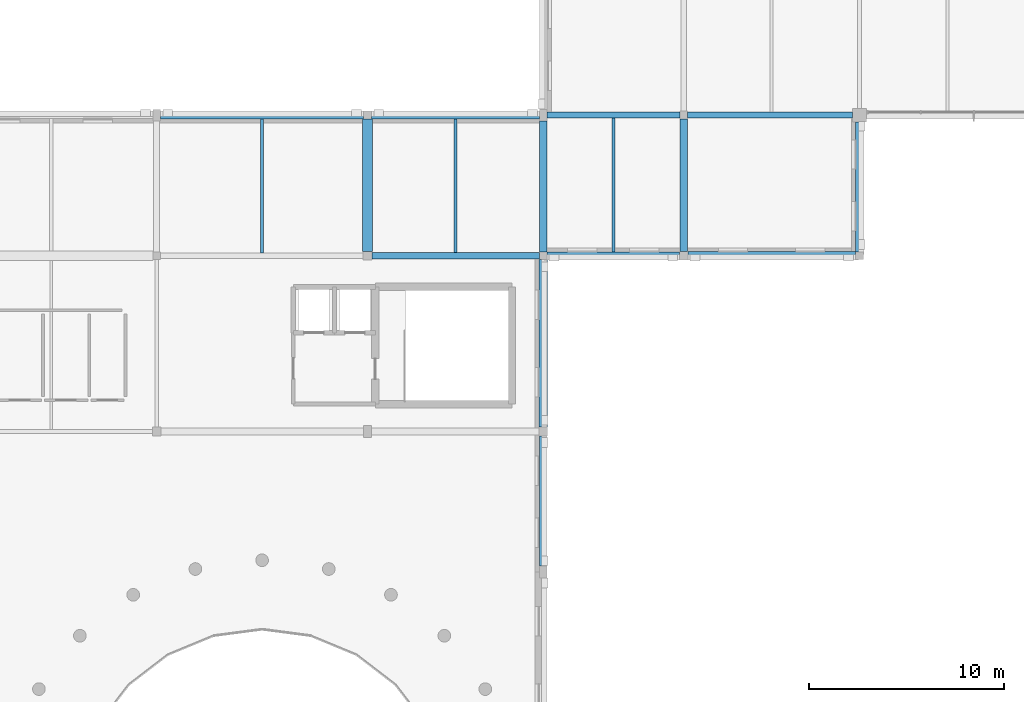
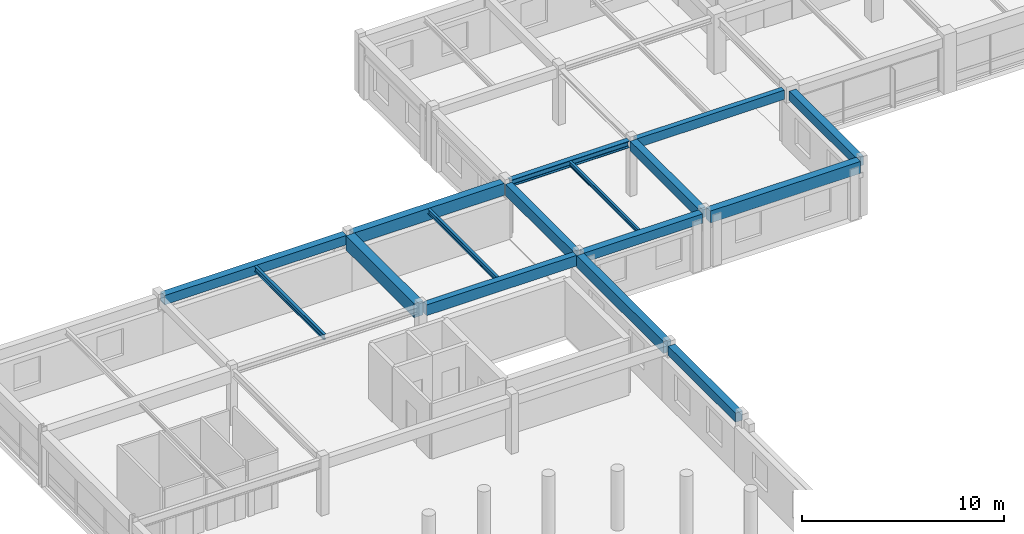
# One storey, part 21 of 52: 16 beams.
"""IFC4 building model written with IfcOpenShell, lengths in metres."""

import ifcopenshell
import ifcopenshell.guid

model = None  # the IFC model being written
_history = None  # IfcOwnerHistory: only IFC2X3 demands one
_inside = {}  # id of a spatial element -> (the spatial element, [elements in it])
_under = {}  # id of a project, library or spatial element -> (it, [spatial elements below it])
_declared = {}  # id of a project -> (the project, [libraries it declares])
_typed = {}  # id of a type object -> (the type object, [elements of that type])
_made_of = {}  # id of a material, layer set ... -> (it, [elements and type objects made of it])


def new_model(schema):
    """Start an empty IFC model of exactly this schema.

    Asked for "IFC4X3", IfcOpenShell would pick the latest addendum, in which some entities
    have other attributes; the version numbers below select the first issue.
    IFC2X3 requires an IfcOwnerHistory on every rooted entity: one is made here for all.
    """
    global model, _history
    if schema == "IFC4X3":
        model = ifcopenshell.file(schema_version=(4, 3, 0, 0))
    else:
        model = ifcopenshell.file(schema=schema)
    _inside.clear()
    _under.clear()
    _declared.clear()
    _typed.clear()
    _made_of.clear()
    _history = None
    if model.schema == "IFC2X3":
        org = make("IfcOrganization", Name="unknown")
        user = make(
            "IfcPersonAndOrganization",
            ThePerson=make("IfcPerson", FamilyName="unknown"),
            TheOrganization=org,
        )
        app = make(
            "IfcApplication",
            ApplicationDeveloper=org,
            Version="unknown",
            ApplicationFullName="unknown",
            ApplicationIdentifier="unknown",
        )
        _history = make(
            "IfcOwnerHistory",
            OwningUser=user,
            OwningApplication=app,
            ChangeAction="ADDED",
            CreationDate=0,
        )
    return model


def make(cls, **values):
    """One entity of the class cls with the attributes given. An attribute that is None is left unset."""
    return model.create_entity(
        cls, **{name: value for name, value in values.items() if value is not None}
    )


def rooted(cls, **values):
    """An entity with a GlobalId (a new one), such as an element, a storey or a relation."""
    return make(cls, GlobalId=ifcopenshell.guid.new(), OwnerHistory=_history, **values)


def si_unit(unit_type, name, prefix=None):
    """IfcSIUnit, for example si_unit("LENGTHUNIT", "METRE", prefix="MILLI")."""
    return make("IfcSIUnit", UnitType=unit_type, Prefix=prefix, Name=name)


def assignment(units):
    """IfcUnitAssignment: the units of a project."""
    return None if units is None else make("IfcUnitAssignment", Units=units)


def point(xyz):
    """IfcCartesianPoint."""
    return None if xyz is None else make("IfcCartesianPoint", Coordinates=xyz)


def direction(xyz):
    """IfcDirection."""
    return None if xyz is None else make("IfcDirection", DirectionRatios=xyz)


def frame(location, z_axis=None, x_axis=None):
    """IfcAxis2Placement3D, a coordinate frame: its origin and axes. An axis left out is left unset."""
    return make(
        "IfcAxis2Placement3D",
        Location=point(location),
        Axis=direction(z_axis),
        RefDirection=direction(x_axis),
    )


def frame_2d(location, x_axis=None):
    """IfcAxis2Placement2D, a coordinate frame in the plane: its origin and x axis."""
    return make(
        "IfcAxis2Placement2D", Location=point(location), RefDirection=direction(x_axis)
    )


def origin():
    """The frame at (0, 0, 0) with its axes left unset."""
    return frame((0.0, 0.0, 0.0))


def origin_2d():
    """The frame at (0, 0) in the plane with its x axis left unset."""
    return frame_2d((0.0, 0.0))


def place(relative_to, where):
    """IfcLocalPlacement: puts the frame where relative to a parent placement (None: the world)."""
    return make(
        "IfcLocalPlacement", PlacementRelTo=relative_to, RelativePlacement=where
    )


def context(
    kind, dimensions, precision=None, world=None, true_north=None, identifier=None
):
    """IfcGeometricRepresentationContext, for example the 3D "Model" context."""
    return make(
        "IfcGeometricRepresentationContext",
        ContextIdentifier=identifier,
        ContextType=kind,
        CoordinateSpaceDimension=dimensions,
        Precision=precision,
        WorldCoordinateSystem=world,
        TrueNorth=true_north,
    )


def subcontext(parent, identifier, kind, view, scale=None):
    """IfcGeometricRepresentationSubContext, for example "Body" below "Model"."""
    return make(
        "IfcGeometricRepresentationSubContext",
        ContextIdentifier=identifier,
        ContextType=kind,
        ParentContext=parent,
        TargetScale=scale,
        TargetView=view,
    )


def project(units=None, contexts=None):
    """IfcProject with its units and contexts."""
    return rooted(
        "IfcProject",
        Name="project",
        RepresentationContexts=contexts,
        UnitsInContext=assignment(units),
    )


def spatial(cls, under=None, at=None, **own):
    """A site, building, storey or space (cls), placed at a placement, below another one or the project."""
    s = rooted(cls, ObjectPlacement=at, **own)
    if under is not None:
        _under.setdefault(under.id(), (under, []))[1].append(s)
    return s


def profile(cls, at=None, kind="AREA", **sizes):
    """A parametric profile (cls). Its sizes go by their IFC names, for example OverallWidth=200.0."""
    return make(cls, ProfileType=kind, Position=at, **sizes)


def rectangle(**sizes):
    """IfcRectangleProfileDef."""
    return profile("IfcRectangleProfileDef", **sizes)


def i_section(**sizes):
    """IfcIShapeProfileDef."""
    return profile("IfcIShapeProfileDef", **sizes)


def extrude(swept, where, along, depth):
    """IfcExtrudedAreaSolid: the profile swept, set in the frame where, extruded along a direction by depth."""
    return make(
        "IfcExtrudedAreaSolid",
        SweptArea=swept,
        Position=where,
        ExtrudedDirection=direction(along),
        Depth=depth,
    )


def shape(context_of_items, identifier, shape_type, items):
    """IfcShapeRepresentation: the items that make up one representation, for example the "Body"."""
    return make(
        "IfcShapeRepresentation",
        ContextOfItems=context_of_items,
        RepresentationIdentifier=identifier,
        RepresentationType=shape_type,
        Items=items,
    )


def material(Name=None, Category=None):
    """IfcMaterial."""
    return make("IfcMaterial", Name=Name, Category=Category)


def material_profile(
    of_material, cross_section, Name=None, Category=None, Priority=None
):
    """IfcMaterialProfile: a cross section and its material."""
    return make(
        "IfcMaterialProfile",
        Name=Name,
        Material=of_material,
        Profile=cross_section,
        Priority=Priority,
        Category=Category,
    )


def profile_set(profiles, Name=None, composite=None):
    """IfcMaterialProfileSet."""
    return make(
        "IfcMaterialProfileSet",
        Name=Name,
        MaterialProfiles=profiles,
        CompositeProfile=composite,
    )


def made_of(thing, what):
    """Note that an element or type object is made of a material, layer set ...; save() writes the relation."""
    if what is not None:
        _made_of.setdefault(what.id(), (what, []))[1].append(thing)
    return thing


def type_object(cls, material=None, **own):
    """A type object (cls), such as IfcWallType, which elements share."""
    return made_of(rooted(cls, **own), material)


def element(
    cls,
    number,
    at=None,
    inside=None,
    cuts=None,
    type_object=None,
    material=None,
    context=None,
    identifier="Body",
    shape_type=None,
    held_by="IfcProductDefinitionShape",
    body=None,
    shapes=None,
    **own,
):
    """One element of the class cls, such as IfcWall. Its Tag is "e" and its number.

    at: its placement. inside: the storey or other place that contains it. cuts: it is an
    opening in that element (IfcRelVoidsElement). A single representation is given by context,
    identifier, shape_type and body (its items); several are given by shapes. held_by: the class
    of the entity that holds the representations. save() writes the other relations.
    """
    e = rooted(cls, Tag="e%d" % number, ObjectPlacement=at, **own)
    if body is not None:
        shapes = [shape(context, identifier, shape_type, body)]
    if shapes is not None:
        e.Representation = make(held_by, Representations=shapes)
    if inside is not None:
        _inside.setdefault(inside.id(), (inside, []))[1].append(e)
    if cuts is not None:
        rooted(
            "IfcRelVoidsElement", RelatingBuildingElement=cuts, RelatedOpeningElement=e
        )
    if type_object is not None:
        _typed.setdefault(type_object.id(), (type_object, []))[1].append(e)
    return made_of(e, material)


def aggregate(whole, parts):
    """IfcRelAggregates: a whole, such as a stair, and the parts it consists of."""
    return rooted("IfcRelAggregates", RelatingObject=whole, RelatedObjects=parts)


def save(model, path):
    """Write the relations noted so far, then the file.

    IfcRelAggregates (storeys below a building ...), IfcRelContainedInSpatialStructure (elements
    in a storey), IfcRelDefinesByType, IfcRelAssociatesMaterial and IfcRelDeclares: one each for
    every whole, place, type object, material and project.
    """
    for whole, parts in _under.values():
        aggregate(whole, parts)
    for where, things in _inside.values():
        rooted(
            "IfcRelContainedInSpatialStructure",
            RelatedElements=things,
            RelatingStructure=where,
        )
    for kind, things in _typed.values():
        rooted("IfcRelDefinesByType", RelatedObjects=things, RelatingType=kind)
    for what, things in _made_of.values():
        rooted("IfcRelAssociatesMaterial", RelatedObjects=things, RelatingMaterial=what)
    for by, libraries in _declared.values():
        rooted("IfcRelDeclares", RelatingContext=by, RelatedDefinitions=libraries)
    model.write(path)


model = new_model("IFC4")

# Units and contexts
model_context = context("Model", 3, precision=1e-05, world=origin(), true_north=direction((0.0, 1.0)))
body_context = subcontext(model_context, "Body", "Model", "MODEL_VIEW")
ifc_project = project(units=[si_unit("LENGTHUNIT", "METRE"), si_unit("AREAUNIT", "SQUARE_METRE"), si_unit("VOLUMEUNIT", "CUBIC_METRE"), si_unit("PLANEANGLEUNIT", "RADIAN"), si_unit("MASSUNIT", "GRAM", prefix="KILO")], contexts=[model_context])

# Site, building, storey
site_placement = place(None, origin())
site = spatial("IfcSite", under=ifc_project, at=site_placement, CompositionType="ELEMENT")
building_placement = place(site_placement, origin())
building = spatial("IfcBuilding", under=site, at=building_placement, Name="Clarverna Civic Hall", CompositionType="ELEMENT")
storey_placement = place(building_placement, frame((0.0, 0.0, 16.800048828125)))
storey = spatial("IfcBuildingStorey", under=building, at=storey_placement, Name="L04", CompositionType="ELEMENT", Elevation=16.800048828125)

# Beams
ifc_material_1 = material(Name="Concrete C35/45", Category="concrete")
ifc_material_profile_1 = material_profile(ifc_material_1, rectangle(XDim=0.5, YDim=0.85009765625, at=origin_2d()), Name="RC 500x850")
ifc_profile_set_1 = profile_set([ifc_material_profile_1], Name="Concrete C35/45")
beam_type_1 = type_object("IfcBeamType", Name="B-RC1", PredefinedType="BEAM", material=ifc_profile_set_1)
beam_1_placement = place(storey_placement, frame((88.199951171875, 88.02490234375, 2.9150390625), z_axis=(0.0, 1.0, 0.0), x_axis=(-1.0, 0.0, 0.0)))
element("IfcBeam", 1, at=beam_1_placement, inside=storey, type_object=beam_type_1, Name="B-RC1-026", PredefinedType="BEAM", context=body_context, shape_type="SweptSolid", body=[
    extrude(rectangle(XDim=0.5, YDim=0.85009765625, at=origin_2d()), origin(), (0.0, 0.0, 1.0), 6.775146484375),
])
ifc_material_profile_2 = material_profile(ifc_material_1, rectangle(XDim=0.300048828125, YDim=0.550048828125, at=origin_2d()), Name="RC 300x550")
ifc_profile_set_2 = profile_set([ifc_material_profile_2], Name="Concrete C35/45")
beam_type_2 = type_object("IfcBeamType", Name="B-RC11", PredefinedType="BEAM", material=ifc_profile_set_2)
beam_2_placement = place(storey_placement, frame((104.60009765625, 95.0, 3.044921875), z_axis=(1.0, 0.0, 0.0), x_axis=(0.0, 1.0, 0.0)))
element("IfcBeam", 2, at=beam_2_placement, inside=storey, type_object=beam_type_2, Name="B-RC11-033", PredefinedType="BEAM", context=body_context, shape_type="SweptSolid", body=[
    extrude(rectangle(XDim=0.300048828125, YDim=0.550048828125, at=origin_2d()), origin(), (0.0, 0.0, 1.0), 8.449951171875),
])
ifc_material_profile_3 = material_profile(ifc_material_1, rectangle(XDim=0.35009765625, YDim=0.64990234375, at=origin_2d()), Name="RC 350x650")
ifc_profile_set_3 = profile_set([ifc_material_profile_3], Name="Concrete C35/45")
beam_type_3 = type_object("IfcBeamType", Name="B-RC17", PredefinedType="BEAM", material=ifc_profile_set_3)
beam_3_placement = place(storey_placement, frame((88.425048828125, 87.800048828125, 3.014892578125), z_axis=(1.0, 0.0, 0.0), x_axis=(0.0, 1.0, 0.0)))
element("IfcBeam", 3, at=beam_3_placement, inside=storey, type_object=beam_type_3, Name="B-RC17-033", PredefinedType="BEAM", context=body_context, shape_type="SweptSolid", body=[
    extrude(rectangle(XDim=0.35009765625, YDim=0.64990234375, at=origin_2d()), origin(), (0.0, 0.0, 1.0), 8.574951171875),
])
ifc_material_profile_4 = material_profile(ifc_material_1, rectangle(XDim=0.39990234375, YDim=0.60009765625, at=origin_2d()), Name="RC 400x600")
ifc_profile_set_4 = profile_set([ifc_material_profile_4], Name="Concrete C35/45")
beam_type_4 = type_object("IfcBeamType", Name="B-RC7", PredefinedType="BEAM", material=ifc_profile_set_4)
beam_4_placement = place(storey_placement, frame((104.39990234375, 88.02490234375, 3.06005859375), z_axis=(0.0, 1.0, 0.0), x_axis=(-1.0, 0.0, 0.0)))
element("IfcBeam", 4, at=beam_4_placement, inside=storey, type_object=beam_type_4, Name="B-RC7-030", PredefinedType="BEAM", context=body_context, shape_type="SweptSolid", body=[
    extrude(rectangle(XDim=0.39990234375, YDim=0.60009765625, at=origin_2d()), origin(), (0.0, 0.0, 1.0), 6.775146484375),
])
ifc_material_profile_5 = material_profile(ifc_material_1, rectangle(XDim=0.419921875, YDim=0.719970703125, at=origin_2d()), Name="RC 420x720")
ifc_profile_set_5 = profile_set([ifc_material_profile_5], Name="Concrete C35/45")
beam_type_5 = type_object("IfcBeamType", Name="B-SP1", PredefinedType="SPANDREL", material=ifc_profile_set_5)
beam_5_placement = place(storey_placement, frame((104.625, 87.800048828125, 3.0), z_axis=(1.0, 0.0, 0.0), x_axis=(0.0, 1.0, 0.0)))
element("IfcBeam", 5, at=beam_5_placement, inside=storey, type_object=beam_type_5, Name="B-SP1-127", PredefinedType="SPANDREL", context=body_context, shape_type="SweptSolid", body=[
    extrude(rectangle(XDim=0.419921875, YDim=0.719970703125, at=origin_2d()), origin(), (0.0, 0.0, 1.0), 8.574951171875),
])
beam_6_placement = place(storey_placement, frame((88.39990234375, 95.0, 2.97998046875), z_axis=(1.0, 0.0, 0.0), x_axis=(0.0, 1.0, 0.0)))
element("IfcBeam", 6, at=beam_6_placement, inside=storey, type_object=beam_type_5, Name="B-SP1-128", PredefinedType="SPANDREL", context=body_context, shape_type="SweptSolid", body=[
    extrude(rectangle(XDim=0.419921875, YDim=0.719970703125, at=origin_2d()), origin(), (0.0, 0.0, 1.0), 8.60009765625),
])
beam_7_placement = place(storey_placement, frame((97.199951171875, 79.02490234375, 2.97998046875), z_axis=(0.0, 1.0, 0.0), x_axis=(-1.0, 0.0, 0.0)))
element("IfcBeam", 7, at=beam_7_placement, inside=storey, type_object=beam_type_5, Name="B-SP1-140", PredefinedType="SPANDREL", context=body_context, shape_type="SweptSolid", body=[
    extrude(rectangle(XDim=0.419921875, YDim=0.719970703125, at=origin_2d()), origin(), (0.0, 0.0, 1.0), 8.5751953125),
])
ifc_material_profile_6 = material_profile(ifc_material_1, rectangle(XDim=0.3798828125, YDim=0.679931640625, at=origin_2d()), Name="RC 380x680")
ifc_profile_set_6 = profile_set([ifc_material_profile_6], Name="Concrete C35/45")
beam_type_6 = type_object("IfcBeamType", Name="B-SP2", PredefinedType="SPANDREL", material=ifc_profile_set_6)
beam_8_placement = place(storey_placement, frame((97.199951171875, 88.0, 3.0), z_axis=(0.0, 1.0, 0.0), x_axis=(-1.0, 0.0, 0.0)))
element("IfcBeam", 8, at=beam_8_placement, inside=storey, type_object=beam_type_6, Name="B-SP2-147", PredefinedType="SPANDREL", context=body_context, shape_type="SweptSolid", body=[
    extrude(rectangle(XDim=0.3798828125, YDim=0.679931640625, at=origin_2d()), origin(), (0.0, 0.0, 1.0), 6.699951171875),
])
ifc_material_profile_7 = material_profile(ifc_material_1, rectangle(XDim=0.39990234375, YDim=0.56005859375, at=origin_2d()), Name="RC 400x560")
ifc_profile_set_7 = profile_set([ifc_material_profile_7], Name="Concrete C35/45")
beam_type_7 = type_object("IfcBeamType", Name="B-SP4", PredefinedType="SPANDREL", material=ifc_profile_set_7)
beam_9_placement = place(storey_placement, frame((97.39990234375, 87.800048828125, 3.06005859375), z_axis=(1.0, 0.0, 0.0), x_axis=(0.0, 1.0, 0.0)))
element("IfcBeam", 9, at=beam_9_placement, inside=storey, type_object=beam_type_7, Name="B-SP4-131", PredefinedType="SPANDREL", context=body_context, shape_type="SweptSolid", body=[
    extrude(rectangle(XDim=0.39990234375, YDim=0.56005859375, at=origin_2d()), origin(), (0.0, 0.0, 1.0), 6.775146484375),
])
beam_10_placement = place(storey_placement, frame((77.60009765625, 95.0, 3.06005859375), z_axis=(1.0, 0.0, 0.0), x_axis=(0.0, 1.0, 0.0)))
element("IfcBeam", 10, at=beam_10_placement, inside=storey, type_object=beam_type_7, Name="B-SP4-132", PredefinedType="SPANDREL", context=body_context, shape_type="SweptSolid", body=[
    extrude(rectangle(XDim=0.39990234375, YDim=0.56005859375, at=origin_2d()), origin(), (0.0, 0.0, 1.0), 10.39990234375),
])
beam_11_placement = place(storey_placement, frame((97.199951171875, 71.89990234375, 3.06005859375), z_axis=(0.0, 1.0, 0.0), x_axis=(-1.0, 0.0, 0.0)))
element("IfcBeam", 11, at=beam_11_placement, inside=storey, type_object=beam_type_7, Name="B-SP4-144", PredefinedType="SPANDREL", context=body_context, shape_type="SweptSolid", body=[
    extrude(rectangle(XDim=0.39990234375, YDim=0.56005859375, at=origin_2d()), origin(), (0.0, 0.0, 1.0), 6.675048828125),
])
beam_12_placement = place(storey_placement, frame((113.39990234375, 88.0, 3.0400390625), z_axis=(0.0, 1.0, 0.0), x_axis=(-1.0, 0.0, 0.0)))
element("IfcBeam", 12, at=beam_12_placement, inside=storey, type_object=beam_type_7, Name="B-SP4-146", PredefinedType="SPANDREL", context=body_context, shape_type="SweptSolid", body=[
    extrude(rectangle(XDim=0.39990234375, YDim=0.56005859375, at=origin_2d()), origin(), (0.0, 0.0, 1.0), 6.64990234375),
])
ifc_material_2 = material(Name="Steel S355", Category="steel")
ifc_material_profile_8 = material_profile(ifc_material_2, i_section(OverallWidth=0.300048828125, OverallDepth=0.39990234375, WebThickness=0.013427734375, FlangeThickness=0.02392578125, FilletRadius=0.027099609375, at=origin_2d()), Name="HEB 400")
ifc_profile_set_8 = profile_set([ifc_material_profile_8], Name="Steel S355")
beam_type_8 = type_object("IfcBeamType", Name="B-ST4", PredefinedType="BEAM", material=ifc_profile_set_8)
beam_13_placement = place(storey_placement, frame((97.39990234375, 95.0, 3.139892578125), z_axis=(1.0, 0.0, 0.0), x_axis=(0.0, 1.0, 0.0)))
element("IfcBeam", 13, at=beam_13_placement, inside=storey, type_object=beam_type_8, Name="B-ST4-016", PredefinedType="BEAM", context=body_context, shape_type="SweptSolid", body=[
    extrude(i_section(OverallWidth=0.300048828125, OverallDepth=0.39990234375, WebThickness=0.013427734375, FlangeThickness=0.02392578125, FilletRadius=0.027099609375, at=origin_2d()), origin(), (0.0, 0.0, 1.0), 6.800048828125),
])
ifc_material_profile_9 = material_profile(ifc_material_2, i_section(OverallWidth=0.159912109375, OverallDepth=0.330078125, WebThickness=0.007568359375, FlangeThickness=0.011474609375, FilletRadius=0.01806640625, at=origin_2d()), Name="IPE 330")
ifc_profile_set_9 = profile_set([ifc_material_profile_9], Name="Steel S355")
beam_type_9 = type_object("IfcBeamType", Name="J-ST2", PredefinedType="JOIST", material=ifc_profile_set_9)
beam_14_placement = place(storey_placement, frame((82.800048828125, 87.949951171875, 3.175048828125), z_axis=(0.0, 1.0, 0.0), x_axis=(-1.0, 0.0, 0.0)))
element("IfcBeam", 14, at=beam_14_placement, inside=storey, type_object=beam_type_9, Name="J-ST2-069", PredefinedType="JOIST", context=body_context, shape_type="SweptSolid", body=[
    extrude(i_section(OverallWidth=0.159912109375, OverallDepth=0.330078125, WebThickness=0.007568359375, FlangeThickness=0.011474609375, FilletRadius=0.01806640625, at=origin_2d()), origin(), (0.0, 0.0, 1.0), 6.85009765625),
])
ifc_material_profile_10 = material_profile(ifc_material_2, i_section(OverallWidth=0.14990234375, OverallDepth=0.300048828125, WebThickness=0.007080078125, FlangeThickness=0.0107421875, FilletRadius=0.014892578125, at=origin_2d()), Name="IPE 300")
ifc_profile_set_10 = profile_set([ifc_material_profile_10], Name="Steel S355")
beam_type_10 = type_object("IfcBeamType", Name="J-ST3", PredefinedType="JOIST", material=ifc_profile_set_10)
beam_15_placement = place(storey_placement, frame((92.699951171875, 87.97509765625, 3.18994140625), z_axis=(0.0, 1.0, 0.0), x_axis=(-1.0, 0.0, 0.0)))
element("IfcBeam", 15, at=beam_15_placement, inside=storey, type_object=beam_type_10, Name="J-ST3-069", PredefinedType="JOIST", context=body_context, shape_type="SweptSolid", body=[
    extrude(i_section(OverallWidth=0.14990234375, OverallDepth=0.300048828125, WebThickness=0.007080078125, FlangeThickness=0.0107421875, FilletRadius=0.014892578125, at=origin_2d()), origin(), (0.0, 0.0, 1.0), 6.81494140625),
])
ifc_material_profile_11 = material_profile(ifc_material_2, i_section(OverallWidth=0.135009765625, OverallDepth=0.27001953125, WebThickness=0.006591796875, FlangeThickness=0.01025390625, FilletRadius=0.014892578125, at=origin_2d()), Name="IPE 270")
ifc_profile_set_11 = profile_set([ifc_material_profile_11], Name="Steel S355")
beam_type_11 = type_object("IfcBeamType", Name="J-ST4", PredefinedType="JOIST", material=ifc_profile_set_11)
beam_16_placement = place(storey_placement, frame((100.800048828125, 88.0, 3.204833984375), z_axis=(0.0, 1.0, 0.0), x_axis=(-1.0, 0.0, 0.0)))
element("IfcBeam", 16, at=beam_16_placement, inside=storey, type_object=beam_type_11, Name="J-ST4-071", PredefinedType="JOIST", context=body_context, shape_type="SweptSolid", body=[
    extrude(i_section(OverallWidth=0.135009765625, OverallDepth=0.27001953125, WebThickness=0.006591796875, FlangeThickness=0.01025390625, FilletRadius=0.014892578125, at=origin_2d()), origin(), (0.0, 0.0, 1.0), 6.85009765625),
])

save(model, "model.ifc")
